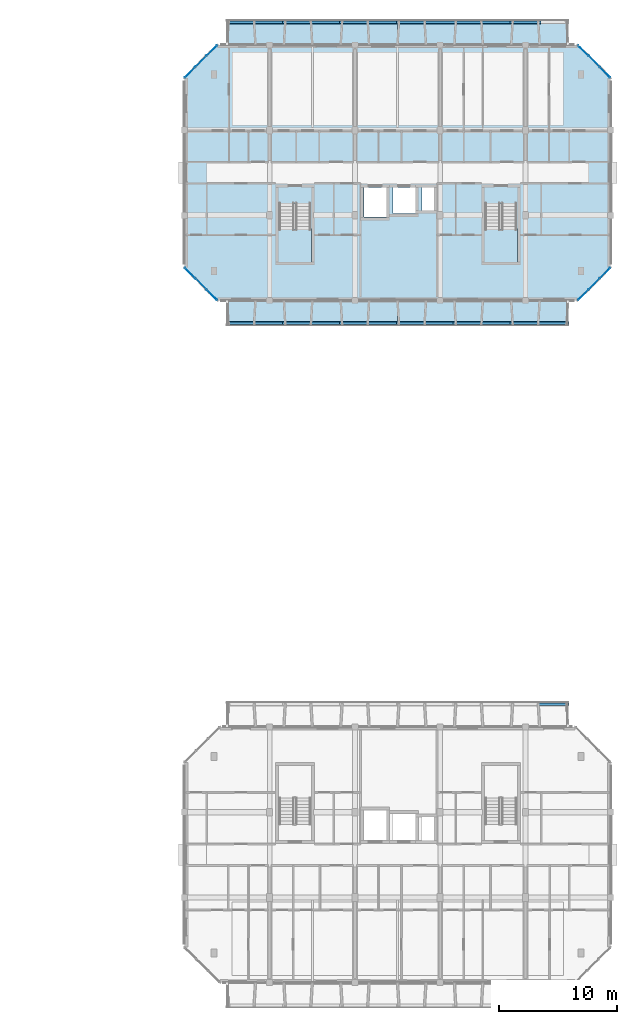
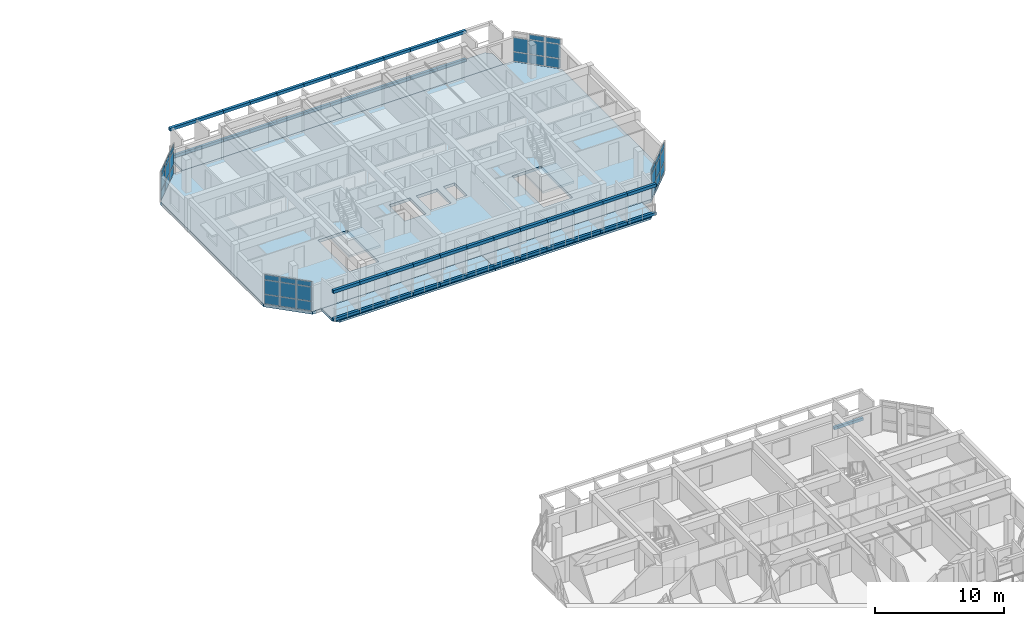
# One storey, part 14 of 45: 82 plates, 7 slabs, 6 elements without a shape of their own.
"""IFC4 building model written with IfcOpenShell, lengths in metres."""

from ifc_helpers import new_model, si_unit, direction, frame, origin, origin_2d, place, context, subcontext, project, spatial, polyline, rectangle, outline, extrude, material, layer, layer_set, type_object, element, aggregate, save


model = new_model("IFC4")

# Units and contexts
model_context = context("Model", 3, precision=1e-05, world=origin(), true_north=direction((0.0, 1.0)))
body_context = subcontext(model_context, "Body", "Model", "MODEL_VIEW")
ifc_project = project(units=[si_unit("LENGTHUNIT", "METRE"), si_unit("AREAUNIT", "SQUARE_METRE"), si_unit("VOLUMEUNIT", "CUBIC_METRE"), si_unit("PLANEANGLEUNIT", "RADIAN"), si_unit("MASSUNIT", "GRAM", prefix="KILO")], contexts=[model_context])

# Site, building, storey
site_placement = place(None, origin())
site = spatial("IfcSite", under=ifc_project, at=site_placement, CompositionType="ELEMENT")
building_placement = place(site_placement, origin())
building = spatial("IfcBuilding", under=site, at=building_placement, Name="Ochrevale Crest", CompositionType="ELEMENT")
storey_placement = place(building_placement, frame((0.0, 0.0, 18.14990234375)))
storey = spatial("IfcBuildingStorey", under=building, at=storey_placement, Name="L05", CompositionType="ELEMENT", Elevation=18.14990234375)

# Curtain wall, plates
ifc_material_1 = material(Name="Anodised aluminium 6063-T5", Category="aluminium")
ifc_layer_1 = layer(ifc_material_1, 0.14990234375)
ifc_layer_set_1 = layer_set([ifc_layer_1], Name="Anodised aluminium 6063-T5")
curtain_wall_type_1 = type_object("IfcCurtainWallType", Name="CW-WG-320x285", PredefinedType="NOTDEFINED", material=ifc_layer_set_1)
curtain_wall_1_placement = place(storey_placement, origin())
curtain_wall_1 = element("IfcCurtainWall", 1, at=curtain_wall_1_placement, inside=storey, type_object=curtain_wall_type_1, Name="Block D L05 chamfered corner wintergarden curtain wall 2", PredefinedType="NOTDEFINED")
ifc_material_2 = material(Name="Double-glazed low-E insulated glass unit", Category="glass")
ifc_layer_2 = layer(ifc_material_2, 0.028076171875)
ifc_layer_set_2 = layer_set([ifc_layer_2], Name="Double-glazed low-E insulated glass unit")
plate_type_1 = type_object("IfcPlateType", Name="CW-PNL-IGU28", PredefinedType="CURTAIN_PANEL", material=ifc_layer_set_2)
plate_1_placement = place(storey_placement, frame((163.280029296875, 72.47998046875, 0.06005859375), z_axis=(0.0, 0.0, 1.0), x_axis=(0.707106781187, 0.707106781187, 0.0)))
plate_1 = element("IfcPlate", 2, at=plate_1_placement, type_object=plate_type_1, Name="CW17 panel 1.1", PredefinedType="CURTAIN_PANEL", context=body_context, shape_type="SweptSolid", body=[
    extrude(rectangle(XDim=1.20751953125, YDim=0.028076171875, at=origin_2d()), origin(), (0.0, 0.0, 1.0), 0.860107421875),
])
plate_2_placement = place(storey_placement, frame((163.280029296875, 72.47998046875, 0.980224609375), z_axis=(0.0, 0.0, 1.0), x_axis=(0.707106781187, 0.707106781187, 0.0)))
plate_2 = element("IfcPlate", 3, at=plate_2_placement, type_object=plate_type_1, Name="CW17 panel 1.2", PredefinedType="CURTAIN_PANEL", context=body_context, shape_type="SweptSolid", body=[
    extrude(rectangle(XDim=1.20751953125, YDim=0.028076171875, at=origin_2d()), origin(), (0.0, 0.0, 1.0), 1.31494140625),
])
plate_3_placement = place(storey_placement, frame((163.280029296875, 72.47998046875, 2.355224609375), z_axis=(0.0, 0.0, 1.0), x_axis=(0.707106781187, 0.707106781187, 0.0)))
plate_3 = element("IfcPlate", 4, at=plate_3_placement, type_object=plate_type_1, Name="CW17 panel 1.3", PredefinedType="CURTAIN_PANEL", context=body_context, shape_type="SweptSolid", body=[
    extrude(rectangle(XDim=1.20751953125, YDim=0.028076171875, at=origin_2d()), origin(), (0.0, 0.0, 1.0), 0.4599609375),
])
plate_4_placement = place(storey_placement, frame((164.199951171875, 73.39990234375, 0.06005859375), z_axis=(0.0, 0.0, 1.0), x_axis=(0.707106781187, 0.707106781187, 0.0)))
plate_4 = element("IfcPlate", 5, at=plate_4_placement, type_object=plate_type_1, Name="CW17 panel 2.1", PredefinedType="CURTAIN_PANEL", context=body_context, shape_type="SweptSolid", body=[
    extrude(rectangle(XDim=1.244873046875, YDim=0.028076171875, at=origin_2d()), origin(), (0.0, 0.0, 1.0), 0.860107421875),
])
plate_5_placement = place(storey_placement, frame((164.199951171875, 73.39990234375, 0.980224609375), z_axis=(0.0, 0.0, 1.0), x_axis=(0.707106781187, 0.707106781187, 0.0)))
plate_5 = element("IfcPlate", 6, at=plate_5_placement, type_object=plate_type_1, Name="CW17 panel 2.2", PredefinedType="CURTAIN_PANEL", context=body_context, shape_type="SweptSolid", body=[
    extrude(rectangle(XDim=1.244873046875, YDim=0.028076171875, at=origin_2d()), origin(), (0.0, 0.0, 1.0), 1.31494140625),
])
plate_6_placement = place(storey_placement, frame((164.199951171875, 73.39990234375, 2.355224609375), z_axis=(0.0, 0.0, 1.0), x_axis=(0.707106781187, 0.707106781187, 0.0)))
plate_6 = element("IfcPlate", 7, at=plate_6_placement, type_object=plate_type_1, Name="CW17 panel 2.3", PredefinedType="CURTAIN_PANEL", context=body_context, shape_type="SweptSolid", body=[
    extrude(rectangle(XDim=1.244873046875, YDim=0.028076171875, at=origin_2d()), origin(), (0.0, 0.0, 1.0), 0.4599609375),
])
plate_7_placement = place(storey_placement, frame((165.1201171875, 74.320068359375, 0.06005859375), z_axis=(0.0, 0.0, 1.0), x_axis=(0.707106781187, 0.707106781187, 0.0)))
plate_7 = element("IfcPlate", 8, at=plate_7_placement, type_object=plate_type_1, Name="CW17 panel 3.1", PredefinedType="CURTAIN_PANEL", context=body_context, shape_type="SweptSolid", body=[
    extrude(rectangle(XDim=1.20751953125, YDim=0.028076171875, at=origin_2d()), origin(), (0.0, 0.0, 1.0), 0.860107421875),
])
plate_8_placement = place(storey_placement, frame((165.1201171875, 74.320068359375, 0.980224609375), z_axis=(0.0, 0.0, 1.0), x_axis=(0.707106781187, 0.707106781187, 0.0)))
plate_8 = element("IfcPlate", 9, at=plate_8_placement, type_object=plate_type_1, Name="CW17 panel 3.2", PredefinedType="CURTAIN_PANEL", context=body_context, shape_type="SweptSolid", body=[
    extrude(rectangle(XDim=1.20751953125, YDim=0.028076171875, at=origin_2d()), origin(), (0.0, 0.0, 1.0), 1.31494140625),
])
plate_9_placement = place(storey_placement, frame((165.1201171875, 74.320068359375, 2.355224609375), z_axis=(0.0, 0.0, 1.0), x_axis=(0.707106781187, 0.707106781187, 0.0)))
plate_9 = element("IfcPlate", 10, at=plate_9_placement, type_object=plate_type_1, Name="CW17 panel 3.3", PredefinedType="CURTAIN_PANEL", context=body_context, shape_type="SweptSolid", body=[
    extrude(rectangle(XDim=1.20751953125, YDim=0.028076171875, at=origin_2d()), origin(), (0.0, 0.0, 1.0), 0.4599609375),
])
aggregate(curtain_wall_1, [plate_1, plate_2, plate_3, plate_4, plate_5, plate_6, plate_7, plate_8, plate_9])

ifc_layer_3 = layer(ifc_material_1, 0.14990234375)
ifc_layer_set_3 = layer_set([ifc_layer_3], Name="Anodised aluminium 6063-T5")
curtain_wall_type_2 = type_object("IfcCurtainWallType", Name="CW-WG-420x285", PredefinedType="NOTDEFINED", material=ifc_layer_set_3)
curtain_wall_2_placement = place(storey_placement, origin())
curtain_wall_2 = element("IfcCurtainWall", 11, at=curtain_wall_2_placement, inside=storey, type_object=curtain_wall_type_2, Name="Block D L05 chamfered corner wintergarden curtain wall 4", PredefinedType="NOTDEFINED")
plate_10_placement = place(storey_placement, frame((165.1201171875, 91.280029296875, 0.06005859375), z_axis=(0.0, 0.0, 1.0), x_axis=(-0.707106781187, 0.707106781187, 0.0)))
plate_10 = element("IfcPlate", 12, at=plate_10_placement, type_object=plate_type_1, Name="CW22 panel 1.1", PredefinedType="CURTAIN_PANEL", context=body_context, shape_type="SweptSolid", body=[
    extrude(rectangle(XDim=1.20751953125, YDim=0.028076171875, at=origin_2d()), origin(), (0.0, 0.0, 1.0), 0.860107421875),
])
plate_11_placement = place(storey_placement, frame((165.1201171875, 91.280029296875, 0.980224609375), z_axis=(0.0, 0.0, 1.0), x_axis=(-0.707106781187, 0.707106781187, 0.0)))
plate_11 = element("IfcPlate", 13, at=plate_11_placement, type_object=plate_type_1, Name="CW22 panel 1.2", PredefinedType="CURTAIN_PANEL", context=body_context, shape_type="SweptSolid", body=[
    extrude(rectangle(XDim=1.20751953125, YDim=0.028076171875, at=origin_2d()), origin(), (0.0, 0.0, 1.0), 1.31494140625),
])
plate_12_placement = place(storey_placement, frame((165.1201171875, 91.280029296875, 2.355224609375), z_axis=(0.0, 0.0, 1.0), x_axis=(-0.707106781187, 0.707106781187, 0.0)))
plate_12 = element("IfcPlate", 14, at=plate_12_placement, type_object=plate_type_1, Name="CW22 panel 1.3", PredefinedType="CURTAIN_PANEL", context=body_context, shape_type="SweptSolid", body=[
    extrude(rectangle(XDim=1.20751953125, YDim=0.028076171875, at=origin_2d()), origin(), (0.0, 0.0, 1.0), 0.4599609375),
])
plate_13_placement = place(storey_placement, frame((164.199951171875, 92.199951171875, 0.06005859375), z_axis=(0.0, 0.0, 1.0), x_axis=(-0.707106781187, 0.707106781187, 0.0)))
plate_13 = element("IfcPlate", 15, at=plate_13_placement, type_object=plate_type_1, Name="CW22 panel 2.1", PredefinedType="CURTAIN_PANEL", context=body_context, shape_type="SweptSolid", body=[
    extrude(rectangle(XDim=1.244873046875, YDim=0.028076171875, at=origin_2d()), origin(), (0.0, 0.0, 1.0), 0.860107421875),
])
plate_14_placement = place(storey_placement, frame((164.199951171875, 92.199951171875, 0.980224609375), z_axis=(0.0, 0.0, 1.0), x_axis=(-0.707106781187, 0.707106781187, 0.0)))
plate_14 = element("IfcPlate", 16, at=plate_14_placement, type_object=plate_type_1, Name="CW22 panel 2.2", PredefinedType="CURTAIN_PANEL", context=body_context, shape_type="SweptSolid", body=[
    extrude(rectangle(XDim=1.244873046875, YDim=0.028076171875, at=origin_2d()), origin(), (0.0, 0.0, 1.0), 1.31494140625),
])
plate_15_placement = place(storey_placement, frame((164.199951171875, 92.199951171875, 2.355224609375), z_axis=(0.0, 0.0, 1.0), x_axis=(-0.707106781187, 0.707106781187, 0.0)))
plate_15 = element("IfcPlate", 17, at=plate_15_placement, type_object=plate_type_1, Name="CW22 panel 2.3", PredefinedType="CURTAIN_PANEL", context=body_context, shape_type="SweptSolid", body=[
    extrude(rectangle(XDim=1.244873046875, YDim=0.028076171875, at=origin_2d()), origin(), (0.0, 0.0, 1.0), 0.4599609375),
])
plate_16_placement = place(storey_placement, frame((163.280029296875, 93.1201171875, 0.06005859375), z_axis=(0.0, 0.0, 1.0), x_axis=(-0.707106781187, 0.707106781187, 0.0)))
plate_16 = element("IfcPlate", 18, at=plate_16_placement, type_object=plate_type_1, Name="CW22 panel 3.1", PredefinedType="CURTAIN_PANEL", context=body_context, shape_type="SweptSolid", body=[
    extrude(rectangle(XDim=1.20751953125, YDim=0.028076171875, at=origin_2d()), origin(), (0.0, 0.0, 1.0), 0.860107421875),
])
plate_17_placement = place(storey_placement, frame((163.280029296875, 93.1201171875, 0.980224609375), z_axis=(0.0, 0.0, 1.0), x_axis=(-0.707106781187, 0.707106781187, 0.0)))
plate_17 = element("IfcPlate", 19, at=plate_17_placement, type_object=plate_type_1, Name="CW22 panel 3.2", PredefinedType="CURTAIN_PANEL", context=body_context, shape_type="SweptSolid", body=[
    extrude(rectangle(XDim=1.20751953125, YDim=0.028076171875, at=origin_2d()), origin(), (0.0, 0.0, 1.0), 1.31494140625),
])
aggregate(curtain_wall_2, [plate_10, plate_11, plate_12, plate_13, plate_14, plate_15, plate_16, plate_17])

ifc_layer_4 = layer(ifc_material_1, 0.14990234375)
ifc_layer_set_4 = layer_set([ifc_layer_4], Name="Anodised aluminium 6063-T5")
curtain_wall_type_3 = type_object("IfcCurtainWallType", Name="CW-WG-280x285", PredefinedType="NOTDEFINED", material=ifc_layer_set_4)
curtain_wall_3_placement = place(storey_placement, origin())
curtain_wall_3 = element("IfcCurtainWall", 20, at=curtain_wall_3_placement, inside=storey, type_object=curtain_wall_type_3, Name="Block D L05 chamfered corner wintergarden curtain wall 6", PredefinedType="NOTDEFINED")
ifc_material_3 = material(Name="Acoustic laminated low-E insulated glass unit", Category="glass")
ifc_layer_5 = layer(ifc_material_3, 0.0380859375)
ifc_layer_set_5 = layer_set([ifc_layer_5], Name="Acoustic laminated low-E insulated glass unit")
plate_type_2 = type_object("IfcPlateType", Name="CW-PNL-IGU38", PredefinedType="CURTAIN_PANEL", material=ifc_layer_set_5)
plate_18_placement = place(storey_placement, frame((131.920166015625, 93.1201171875, 0.06005859375), z_axis=(0.0, 0.0, 1.0), x_axis=(-0.707106781187, -0.707106781187, 0.0)))
plate_18 = element("IfcPlate", 21, at=plate_18_placement, type_object=plate_type_2, Name="CW16 panel 1.1", PredefinedType="CURTAIN_PANEL", context=body_context, shape_type="SweptSolid", body=[
    extrude(rectangle(XDim=1.20751953125, YDim=0.0380859375, at=origin_2d()), origin(), (0.0, 0.0, 1.0), 0.860107421875),
])
plate_19_placement = place(storey_placement, frame((131.920166015625, 93.1201171875, 0.980224609375), z_axis=(0.0, 0.0, 1.0), x_axis=(-0.707106781187, -0.707106781187, 0.0)))
plate_19 = element("IfcPlate", 22, at=plate_19_placement, type_object=plate_type_2, Name="CW16 panel 1.2", PredefinedType="CURTAIN_PANEL", context=body_context, shape_type="SweptSolid", body=[
    extrude(rectangle(XDim=1.20751953125, YDim=0.0380859375, at=origin_2d()), origin(), (0.0, 0.0, 1.0), 1.31494140625),
])
plate_20_placement = place(storey_placement, frame((131.920166015625, 93.1201171875, 2.355224609375), z_axis=(0.0, 0.0, 1.0), x_axis=(-0.707106781187, -0.707106781187, 0.0)))
plate_20 = element("IfcPlate", 23, at=plate_20_placement, type_object=plate_type_2, Name="CW16 panel 1.3", PredefinedType="CURTAIN_PANEL", context=body_context, shape_type="SweptSolid", body=[
    extrude(rectangle(XDim=1.20751953125, YDim=0.0380859375, at=origin_2d()), origin(), (0.0, 0.0, 1.0), 0.4599609375),
])
plate_21_placement = place(storey_placement, frame((131.0, 92.199951171875, 0.06005859375), z_axis=(0.0, 0.0, 1.0), x_axis=(-0.707106781187, -0.707106781187, 0.0)))
plate_21 = element("IfcPlate", 24, at=plate_21_placement, type_object=plate_type_2, Name="CW16 panel 2.1", PredefinedType="CURTAIN_PANEL", context=body_context, shape_type="SweptSolid", body=[
    extrude(rectangle(XDim=1.244873046875, YDim=0.0380859375, at=origin_2d()), origin(), (0.0, 0.0, 1.0), 0.860107421875),
])
plate_22_placement = place(storey_placement, frame((131.0, 92.199951171875, 0.980224609375), z_axis=(0.0, 0.0, 1.0), x_axis=(-0.707106781187, -0.707106781187, 0.0)))
plate_22 = element("IfcPlate", 25, at=plate_22_placement, type_object=plate_type_2, Name="CW16 panel 2.2", PredefinedType="CURTAIN_PANEL", context=body_context, shape_type="SweptSolid", body=[
    extrude(rectangle(XDim=1.244873046875, YDim=0.0380859375, at=origin_2d()), origin(), (0.0, 0.0, 1.0), 1.31494140625),
])
plate_23_placement = place(storey_placement, frame((131.0, 92.199951171875, 2.355224609375), z_axis=(0.0, 0.0, 1.0), x_axis=(-0.707106781187, -0.707106781187, 0.0)))
plate_23 = element("IfcPlate", 26, at=plate_23_placement, type_object=plate_type_2, Name="CW16 panel 2.3", PredefinedType="CURTAIN_PANEL", context=body_context, shape_type="SweptSolid", body=[
    extrude(rectangle(XDim=1.244873046875, YDim=0.0380859375, at=origin_2d()), origin(), (0.0, 0.0, 1.0), 0.4599609375),
])
plate_24_placement = place(storey_placement, frame((130.079833984375, 91.280029296875, 0.06005859375), z_axis=(0.0, 0.0, 1.0), x_axis=(-0.707106781187, -0.707106781187, 0.0)))
plate_24 = element("IfcPlate", 27, at=plate_24_placement, type_object=plate_type_2, Name="CW16 panel 3.1", PredefinedType="CURTAIN_PANEL", context=body_context, shape_type="SweptSolid", body=[
    extrude(rectangle(XDim=1.20751953125, YDim=0.0380859375, at=origin_2d()), origin(), (0.0, 0.0, 1.0), 0.860107421875),
])
plate_25_placement = place(storey_placement, frame((130.079833984375, 91.280029296875, 0.980224609375), z_axis=(0.0, 0.0, 1.0), x_axis=(-0.707106781187, -0.707106781187, 0.0)))
plate_25 = element("IfcPlate", 28, at=plate_25_placement, type_object=plate_type_2, Name="CW16 panel 3.2", PredefinedType="CURTAIN_PANEL", context=body_context, shape_type="SweptSolid", body=[
    extrude(rectangle(XDim=1.20751953125, YDim=0.0380859375, at=origin_2d()), origin(), (0.0, 0.0, 1.0), 1.31494140625),
])
plate_26_placement = place(storey_placement, frame((130.079833984375, 91.280029296875, 2.355224609375), z_axis=(0.0, 0.0, 1.0), x_axis=(-0.707106781187, -0.707106781187, 0.0)))
plate_26 = element("IfcPlate", 29, at=plate_26_placement, type_object=plate_type_2, Name="CW16 panel 3.3", PredefinedType="CURTAIN_PANEL", context=body_context, shape_type="SweptSolid", body=[
    extrude(rectangle(XDim=1.20751953125, YDim=0.0380859375, at=origin_2d()), origin(), (0.0, 0.0, 1.0), 0.4599609375),
])
aggregate(curtain_wall_3, [plate_18, plate_19, plate_20, plate_21, plate_22, plate_23, plate_24, plate_25, plate_26])

ifc_layer_6 = layer(ifc_material_1, 0.14990234375)
ifc_layer_set_6 = layer_set([ifc_layer_6], Name="Anodised aluminium 6063-T5")
curtain_wall_type_4 = type_object("IfcCurtainWallType", Name="CW-WG-360x285", PredefinedType="NOTDEFINED", material=ifc_layer_set_6)
curtain_wall_4_placement = place(storey_placement, origin())
curtain_wall_4 = element("IfcCurtainWall", 30, at=curtain_wall_4_placement, inside=storey, type_object=curtain_wall_type_4, Name="Block D L05 chamfered corner wintergarden curtain wall 8", PredefinedType="NOTDEFINED")
plate_27_placement = place(storey_placement, frame((130.079833984375, 74.320068359375, 0.06005859375), z_axis=(0.0, 0.0, 1.0), x_axis=(0.707106781187, -0.707106781187, 0.0)))
plate_27 = element("IfcPlate", 31, at=plate_27_placement, type_object=plate_type_2, Name="CW18 panel 1.1", PredefinedType="CURTAIN_PANEL", context=body_context, shape_type="SweptSolid", body=[
    extrude(rectangle(XDim=1.20751953125, YDim=0.0380859375, at=origin_2d()), origin(), (0.0, 0.0, 1.0), 0.860107421875),
])
plate_28_placement = place(storey_placement, frame((130.079833984375, 74.320068359375, 0.980224609375), z_axis=(0.0, 0.0, 1.0), x_axis=(0.707106781187, -0.707106781187, 0.0)))
plate_28 = element("IfcPlate", 32, at=plate_28_placement, type_object=plate_type_2, Name="CW18 panel 1.2", PredefinedType="CURTAIN_PANEL", context=body_context, shape_type="SweptSolid", body=[
    extrude(rectangle(XDim=1.20751953125, YDim=0.0380859375, at=origin_2d()), origin(), (0.0, 0.0, 1.0), 1.31494140625),
])
plate_29_placement = place(storey_placement, frame((130.079833984375, 74.320068359375, 2.355224609375), z_axis=(0.0, 0.0, 1.0), x_axis=(0.707106781187, -0.707106781187, 0.0)))
plate_29 = element("IfcPlate", 33, at=plate_29_placement, type_object=plate_type_2, Name="CW18 panel 1.3", PredefinedType="CURTAIN_PANEL", context=body_context, shape_type="SweptSolid", body=[
    extrude(rectangle(XDim=1.20751953125, YDim=0.0380859375, at=origin_2d()), origin(), (0.0, 0.0, 1.0), 0.4599609375),
])
plate_30_placement = place(storey_placement, frame((131.0, 73.39990234375, 0.06005859375), z_axis=(0.0, 0.0, 1.0), x_axis=(0.707106781187, -0.707106781187, 0.0)))
plate_30 = element("IfcPlate", 34, at=plate_30_placement, type_object=plate_type_2, Name="CW18 panel 2.1", PredefinedType="CURTAIN_PANEL", context=body_context, shape_type="SweptSolid", body=[
    extrude(rectangle(XDim=1.244873046875, YDim=0.0380859375, at=origin_2d()), origin(), (0.0, 0.0, 1.0), 0.860107421875),
])
plate_31_placement = place(storey_placement, frame((131.0, 73.39990234375, 0.980224609375), z_axis=(0.0, 0.0, 1.0), x_axis=(0.707106781187, -0.707106781187, 0.0)))
plate_31 = element("IfcPlate", 35, at=plate_31_placement, type_object=plate_type_2, Name="CW18 panel 2.2", PredefinedType="CURTAIN_PANEL", context=body_context, shape_type="SweptSolid", body=[
    extrude(rectangle(XDim=1.244873046875, YDim=0.0380859375, at=origin_2d()), origin(), (0.0, 0.0, 1.0), 1.31494140625),
])
plate_32_placement = place(storey_placement, frame((131.0, 73.39990234375, 2.355224609375), z_axis=(0.0, 0.0, 1.0), x_axis=(0.707106781187, -0.707106781187, 0.0)))
plate_32 = element("IfcPlate", 36, at=plate_32_placement, type_object=plate_type_2, Name="CW18 panel 2.3", PredefinedType="CURTAIN_PANEL", context=body_context, shape_type="SweptSolid", body=[
    extrude(rectangle(XDim=1.244873046875, YDim=0.0380859375, at=origin_2d()), origin(), (0.0, 0.0, 1.0), 0.4599609375),
])
plate_33_placement = place(storey_placement, frame((131.920166015625, 72.47998046875, 0.06005859375), z_axis=(0.0, 0.0, 1.0), x_axis=(0.707106781187, -0.707106781187, 0.0)))
plate_33 = element("IfcPlate", 37, at=plate_33_placement, type_object=plate_type_2, Name="CW18 panel 3.1", PredefinedType="CURTAIN_PANEL", context=body_context, shape_type="SweptSolid", body=[
    extrude(rectangle(XDim=1.20751953125, YDim=0.0380859375, at=origin_2d()), origin(), (0.0, 0.0, 1.0), 0.860107421875),
])
plate_34_placement = place(storey_placement, frame((131.920166015625, 72.47998046875, 0.980224609375), z_axis=(0.0, 0.0, 1.0), x_axis=(0.707106781187, -0.707106781187, 0.0)))
plate_34 = element("IfcPlate", 38, at=plate_34_placement, type_object=plate_type_2, Name="CW18 panel 3.2", PredefinedType="CURTAIN_PANEL", context=body_context, shape_type="SweptSolid", body=[
    extrude(rectangle(XDim=1.20751953125, YDim=0.0380859375, at=origin_2d()), origin(), (0.0, 0.0, 1.0), 1.31494140625),
])
plate_35_placement = place(storey_placement, frame((131.920166015625, 72.47998046875, 2.355224609375), z_axis=(0.0, 0.0, 1.0), x_axis=(0.707106781187, -0.707106781187, 0.0)))
plate_35 = element("IfcPlate", 39, at=plate_35_placement, type_object=plate_type_2, Name="CW18 panel 3.3", PredefinedType="CURTAIN_PANEL", context=body_context, shape_type="SweptSolid", body=[
    extrude(rectangle(XDim=1.20751953125, YDim=0.0380859375, at=origin_2d()), origin(), (0.0, 0.0, 1.0), 0.4599609375),
])
aggregate(curtain_wall_4, [plate_27, plate_28, plate_29, plate_30, plate_31, plate_32, plate_33, plate_34, plate_35])

# Plates
ifc_material_4 = material(Name="Precast concrete C40/50", Category="concrete")
ifc_layer_7 = layer(ifc_material_4, 0.06005859375)
ifc_layer_set_7 = layer_set([ifc_layer_7], Name="Precast concrete C40/50")
plate_type_3 = type_object("IfcPlateType", Name="PLT-HC-HEAD-60", PredefinedType="USERDEFINED", material=ifc_layer_set_7)
for number, where, z_axis, x_axis, name in (
    (40, (134.39990234375, 70.10009765625, 2.669921875), (0.0, 0.0, 1.0), (1.0, 0.0, 0.0), "Block D L05 S honeycomb arched lintel fascia 1"),
    (41, (136.800048828125, 70.10009765625, 2.669921875), (0.0, 0.0, 1.0), (1.0, 0.0, 0.0), "Block D L05 S honeycomb arched lintel fascia 2"),
    (42, (139.199951171875, 70.10009765625, 2.669921875), (0.0, 0.0, 1.0), (1.0, 0.0, 0.0), "Block D L05 S honeycomb arched lintel fascia 3"),
    (43, (141.60009765625, 70.10009765625, 2.669921875), (0.0, 0.0, 1.0), (1.0, 0.0, 0.0), "Block D L05 S honeycomb arched lintel fascia 4"),
    (44, (144.0, 70.10009765625, 2.669921875), (0.0, 0.0, 1.0), (1.0, 0.0, 0.0), "Block D L05 S honeycomb arched lintel fascia 5"),
    (45, (146.39990234375, 70.10009765625, 2.669921875), (0.0, 0.0, 1.0), (1.0, 0.0, 0.0), "Block D L05 S honeycomb arched lintel fascia 6"),
    (46, (148.800048828125, 70.10009765625, 2.669921875), (0.0, 0.0, 1.0), (1.0, 0.0, 0.0), "Block D L05 S honeycomb arched lintel fascia 7"),
    (47, (151.199951171875, 70.10009765625, 2.669921875), (0.0, 0.0, 1.0), (1.0, 0.0, 0.0), "Block D L05 S honeycomb arched lintel fascia 8"),
    (48, (153.60009765625, 70.10009765625, 2.669921875), (0.0, 0.0, 1.0), (1.0, 0.0, 0.0), "Block D L05 S honeycomb arched lintel fascia 9"),
    (49, (156.0, 70.10009765625, 2.669921875), (0.0, 0.0, 1.0), (1.0, 0.0, 0.0), "Block D L05 S honeycomb arched lintel fascia 10"),
    (50, (158.39990234375, 70.10009765625, 2.669921875), (0.0, 0.0, 1.0), (1.0, 0.0, 0.0), "Block D L05 S honeycomb arched lintel fascia 11"),
    (51, (160.800048828125, 70.10009765625, 2.669921875), (0.0, 0.0, 1.0), (1.0, 0.0, 0.0), "Block D L05 S honeycomb arched lintel fascia 12"),
    (52, (134.39990234375, 95.5, 2.669921875), (0.0, 0.0, 1.0), (1.0, 0.0, 0.0), "Block D L05 N honeycomb arched lintel fascia 1"),
    (53, (136.800048828125, 95.5, 2.669921875), (0.0, 0.0, 1.0), (1.0, 0.0, 0.0), "Block D L05 N honeycomb arched lintel fascia 2"),
    (54, (139.199951171875, 95.5, 2.669921875), (0.0, 0.0, 1.0), (1.0, 0.0, 0.0), "Block D L05 N honeycomb arched lintel fascia 3"),
    (55, (141.60009765625, 95.5, 2.669921875), (0.0, 0.0, 1.0), (1.0, 0.0, 0.0), "Block D L05 N honeycomb arched lintel fascia 4"),
    (56, (144.0, 95.5, 2.669921875), (0.0, 0.0, 1.0), (1.0, 0.0, 0.0), "Block D L05 N honeycomb arched lintel fascia 5"),
    (57, (146.39990234375, 95.5, 2.669921875), (0.0, 0.0, 1.0), (1.0, 0.0, 0.0), "Block D L05 N honeycomb arched lintel fascia 6"),
    (58, (148.800048828125, 95.5, 2.669921875), (0.0, 0.0, 1.0), (1.0, 0.0, 0.0), "Block D L05 N honeycomb arched lintel fascia 7"),
    (59, (151.199951171875, 95.5, 2.669921875), (0.0, 0.0, 1.0), (1.0, 0.0, 0.0), "Block D L05 N honeycomb arched lintel fascia 8"),
    (60, (153.60009765625, 95.5, 2.669921875), (0.0, 0.0, 1.0), (1.0, 0.0, 0.0), "Block D L05 N honeycomb arched lintel fascia 9"),
    (61, (156.0, 95.5, 2.669921875), (0.0, 0.0, 1.0), (1.0, 0.0, 0.0), "Block D L05 N honeycomb arched lintel fascia 10"),
    (62, (158.39990234375, 95.5, 2.669921875), (0.0, 0.0, 1.0), (1.0, 0.0, 0.0), "Block D L05 N honeycomb arched lintel fascia 11"),
):
    element("IfcPlate", number, at=place(storey_placement, frame(where, z_axis=z_axis, x_axis=x_axis)), inside=storey, type_object=plate_type_3, Name=name, ObjectType="FACADE FASCIA PLATE", PredefinedType="USERDEFINED", context=body_context, shape_type="SweptSolid", body=[
        extrude(rectangle(XDim=2.60009765625, YDim=0.239990234375, at=origin_2d()), origin(), (0.0, 0.0, 1.0), 0.280029296875),
    ])
ifc_layer_8 = layer(ifc_material_4, 0.044921875)
ifc_layer_set_8 = layer_set([ifc_layer_8], Name="Precast concrete C40/50")
plate_type_4 = type_object("IfcPlateType", Name="PLT-HC-SILL-45", PredefinedType="USERDEFINED", material=ifc_layer_set_8)
for number, where, z_axis, x_axis, name in (
    (63, (160.800048828125, 37.89990234375, 0.0), (0.0, 0.0, 1.0), (1.0, 0.0, 0.0), "Block C L05 N honeycomb sill coping plate 12"),
    (64, (134.39990234375, 70.10009765625, 0.0), (0.0, 0.0, 1.0), (1.0, 0.0, 0.0), "Block D L05 S honeycomb sill coping plate 1"),
    (65, (136.800048828125, 70.10009765625, 0.0), (0.0, 0.0, 1.0), (1.0, 0.0, 0.0), "Block D L05 S honeycomb sill coping plate 2"),
    (66, (139.199951171875, 70.10009765625, 0.0), (0.0, 0.0, 1.0), (1.0, 0.0, 0.0), "Block D L05 S honeycomb sill coping plate 3"),
    (67, (141.60009765625, 70.10009765625, 0.0), (0.0, 0.0, 1.0), (1.0, 0.0, 0.0), "Block D L05 S honeycomb sill coping plate 4"),
    (68, (144.0, 70.10009765625, 0.0), (0.0, 0.0, 1.0), (1.0, 0.0, 0.0), "Block D L05 S honeycomb sill coping plate 5"),
    (69, (146.39990234375, 70.10009765625, 0.0), (0.0, 0.0, 1.0), (1.0, 0.0, 0.0), "Block D L05 S honeycomb sill coping plate 6"),
    (70, (148.800048828125, 70.10009765625, 0.0), (0.0, 0.0, 1.0), (1.0, 0.0, 0.0), "Block D L05 S honeycomb sill coping plate 7"),
    (71, (151.199951171875, 70.10009765625, 0.0), (0.0, 0.0, 1.0), (1.0, 0.0, 0.0), "Block D L05 S honeycomb sill coping plate 8"),
    (72, (153.60009765625, 70.10009765625, 0.0), (0.0, 0.0, 1.0), (1.0, 0.0, 0.0), "Block D L05 S honeycomb sill coping plate 9"),
    (73, (156.0, 70.10009765625, 0.0), (0.0, 0.0, 1.0), (1.0, 0.0, 0.0), "Block D L05 S honeycomb sill coping plate 10"),
    (74, (158.39990234375, 70.10009765625, 0.0), (0.0, 0.0, 1.0), (1.0, 0.0, 0.0), "Block D L05 S honeycomb sill coping plate 11"),
    (75, (160.800048828125, 70.10009765625, 0.0), (0.0, 0.0, 1.0), (1.0, 0.0, 0.0), "Block D L05 S honeycomb sill coping plate 12"),
    (76, (134.39990234375, 95.5, 0.0), (0.0, 0.0, 1.0), (1.0, 0.0, 0.0), "Block D L05 N honeycomb sill coping plate 1"),
    (77, (136.800048828125, 95.5, 0.0), (0.0, 0.0, 1.0), (1.0, 0.0, 0.0), "Block D L05 N honeycomb sill coping plate 2"),
    (78, (139.199951171875, 95.5, 0.0), (0.0, 0.0, 1.0), (1.0, 0.0, 0.0), "Block D L05 N honeycomb sill coping plate 3"),
    (79, (141.60009765625, 95.5, 0.0), (0.0, 0.0, 1.0), (1.0, 0.0, 0.0), "Block D L05 N honeycomb sill coping plate 4"),
    (80, (144.0, 95.5, 0.0), (0.0, 0.0, 1.0), (1.0, 0.0, 0.0), "Block D L05 N honeycomb sill coping plate 5"),
    (81, (146.39990234375, 95.5, 0.0), (0.0, 0.0, 1.0), (1.0, 0.0, 0.0), "Block D L05 N honeycomb sill coping plate 6"),
    (82, (148.800048828125, 95.5, 0.0), (0.0, 0.0, 1.0), (1.0, 0.0, 0.0), "Block D L05 N honeycomb sill coping plate 7"),
    (83, (151.199951171875, 95.5, 0.0), (0.0, 0.0, 1.0), (1.0, 0.0, 0.0), "Block D L05 N honeycomb sill coping plate 8"),
    (84, (153.60009765625, 95.5, 0.0), (0.0, 0.0, 1.0), (1.0, 0.0, 0.0), "Block D L05 N honeycomb sill coping plate 9"),
    (85, (156.0, 95.5, 0.0), (0.0, 0.0, 1.0), (1.0, 0.0, 0.0), "Block D L05 N honeycomb sill coping plate 10"),
    (86, (158.39990234375, 95.5, 0.0), (0.0, 0.0, 1.0), (1.0, 0.0, 0.0), "Block D L05 N honeycomb sill coping plate 11"),
):
    element("IfcPlate", number, at=place(storey_placement, frame(where, z_axis=z_axis, x_axis=x_axis)), inside=storey, type_object=plate_type_4, Name=name, ObjectType="SILL COPING PLATE", PredefinedType="USERDEFINED", context=body_context, shape_type="SweptSolid", body=[
        extrude(rectangle(XDim=2.60009765625, YDim=0.219970703125, at=origin_2d()), origin(), (0.0, 0.0, 1.0), 0.260009765625),
    ])

# Slabs
ifc_layer_9 = layer(ifc_material_4, 0.199951171875)
ifc_layer_set_9 = layer_set([ifc_layer_9], Name="Precast concrete C40/50")
slab_type_1 = type_object("IfcSlabType", Name="SLB-BAL-200", PredefinedType="FLOOR", material=ifc_layer_set_9)
slab_1_placement = place(storey_placement, frame((0.0, 0.0, -0.199951171875)))
element("IfcSlab", 87, at=slab_1_placement, inside=storey, type_object=slab_type_1, Name="Block D L05 S1 precast loggia balcony slab", PredefinedType="FLOOR", context=body_context, shape_type="SweptSolid", body=[
    extrude(outline(polyline([(133.64990234375, 69.89990234375), (147.60009765625, 69.89990234375), (147.60009765625, 72.0), (133.199951171875, 72.0), (133.199951171875, 70.35009765625), (133.64990234375, 69.89990234375)])), origin(), (0.0, 0.0, 1.0), 0.199951171875),
])
slab_2_placement = place(storey_placement, frame((0.0, 0.0, -0.199951171875)))
element("IfcSlab", 88, at=slab_2_placement, inside=storey, type_object=slab_type_1, Name="Block D L05 S2 precast loggia balcony slab", PredefinedType="FLOOR", context=body_context, shape_type="SweptSolid", body=[
    extrude(outline(polyline([(147.60009765625, 69.89990234375), (161.550048828125, 69.89990234375), (162.0, 70.35009765625), (162.0, 72.0), (147.60009765625, 72.0), (147.60009765625, 69.89990234375)])), origin(), (0.0, 0.0, 1.0), 0.199951171875),
])
slab_3_placement = place(storey_placement, frame((0.0, 0.0, -0.199951171875)))
element("IfcSlab", 89, at=slab_3_placement, inside=storey, type_object=slab_type_1, Name="Block D L05 N1 precast loggia balcony slab", PredefinedType="FLOOR", context=body_context, shape_type="SweptSolid", body=[
    extrude(outline(polyline([(133.199951171875, 93.60009765625), (147.60009765625, 93.60009765625), (147.60009765625, 95.699951171875), (133.64990234375, 95.699951171875), (133.199951171875, 95.25), (133.199951171875, 93.60009765625)])), origin(), (0.0, 0.0, 1.0), 0.199951171875),
])
slab_4_placement = place(storey_placement, frame((0.0, 0.0, -0.199951171875)))
element("IfcSlab", 90, at=slab_4_placement, inside=storey, type_object=slab_type_1, Name="Block D L05 N2 precast loggia balcony slab", PredefinedType="FLOOR", context=body_context, shape_type="SweptSolid", body=[
    extrude(outline(polyline([(147.60009765625, 93.60009765625), (162.0, 93.60009765625), (162.0, 95.25), (161.550048828125, 95.699951171875), (147.60009765625, 95.699951171875), (147.60009765625, 93.60009765625)])), origin(), (0.0, 0.0, 1.0), 0.199951171875),
])
ifc_layer_10 = layer(ifc_material_4, 0.27490234375)
ifc_layer_set_10 = layer_set([ifc_layer_10], Name="Precast concrete C40/50")
slab_type_2 = type_object("IfcSlabType", Name="SLB-RES-275", PredefinedType="FLOOR", material=ifc_layer_set_10)
slab_5_placement = place(storey_placement, frame((0.0, 0.0, -0.27490234375)))
element("IfcSlab", 91, at=slab_5_placement, inside=storey, type_object=slab_type_2, Name="Block D L05 composite hollowcore floor slab", PredefinedType="FLOOR", context=body_context, shape_type="SweptSolid", body=[
    extrude(outline(polyline([(132.39990234375, 72.0), (162.800048828125, 72.0), (165.60009765625, 74.800048828125), (165.60009765625, 90.800048828125), (162.800048828125, 93.60009765625), (132.39990234375, 93.60009765625), (129.60009765625, 90.800048828125), (129.60009765625, 74.800048828125), (132.39990234375, 72.0)]), holes=[polyline([(137.60009765625, 80.175048828125), (137.60009765625, 75.27490234375), (140.25, 75.27490234375), (140.25, 80.175048828125), (137.60009765625, 80.175048828125)]), polyline([(155.0, 80.175048828125), (155.0, 75.27490234375), (157.64990234375, 75.27490234375), (157.64990234375, 80.175048828125), (155.0, 80.175048828125)]), polyline([(144.75, 79.050048828125), (146.64990234375, 79.050048828125), (146.64990234375, 81.550048828125), (144.75, 81.550048828125), (144.75, 79.050048828125)]), polyline([(147.199951171875, 79.35009765625), (149.10009765625, 79.35009765625), (149.10009765625, 81.550048828125), (147.199951171875, 81.550048828125), (147.199951171875, 79.35009765625)]), polyline([(149.669921875, 79.6201171875), (150.679931640625, 79.6201171875), (150.679931640625, 81.580078125), (149.669921875, 81.580078125), (149.669921875, 79.6201171875)])]), origin(), (0.0, 0.0, 1.0), 0.27490234375),
])

# Stair, slab
stair_type = type_object("IfcStairType", Name="ST-CORE-DOG", PredefinedType="HALF_TURN_STAIR", material=ifc_material_4)
stair_1_placement = place(storey_placement, origin())
stair_1 = element("IfcStair", 92, at=stair_1_placement, inside=storey, type_object=stair_type, Name="L05 Block D Fire Stair 1", PredefinedType="HALF_TURN_STAIR")
ifc_layer_11 = layer(ifc_material_4, 0.199951171875)
ifc_layer_set_11 = layer_set([ifc_layer_11], Name="Precast concrete C40/50")
slab_type_3 = type_object("IfcSlabType", Name="SLB-ST-LAND", PredefinedType="LANDING", material=ifc_layer_set_11)
slab_6_placement = place(storey_placement, frame((0.0, 0.0, 1.375)))
slab_6 = element("IfcSlab", 93, at=slab_6_placement, type_object=slab_type_3, Name="ST-D1 landing 1", PredefinedType="LANDING", context=body_context, shape_type="SweptSolid", body=[
    extrude(outline(polyline([(137.52001953125, 78.06494140625), (137.52001953125, 75.195068359375), (140.330078125, 75.195068359375), (140.330078125, 78.06494140625), (137.52001953125, 78.06494140625)])), origin(), (0.0, 0.0, 1.0), 0.2001953125),
])
aggregate(stair_1, [slab_6])

stair_2_placement = place(storey_placement, origin())
stair_2 = element("IfcStair", 94, at=stair_2_placement, inside=storey, type_object=stair_type, Name="L05 Block D Fire Stair 2", PredefinedType="HALF_TURN_STAIR")
slab_7_placement = place(storey_placement, frame((0.0, 0.0, 1.375)))
slab_7 = element("IfcSlab", 95, at=slab_7_placement, type_object=slab_type_3, Name="ST-D2 landing 1", PredefinedType="LANDING", context=body_context, shape_type="SweptSolid", body=[
    extrude(outline(polyline([(154.919921875, 78.06494140625), (154.919921875, 75.195068359375), (157.72998046875, 75.195068359375), (157.72998046875, 78.06494140625), (154.919921875, 78.06494140625)])), origin(), (0.0, 0.0, 1.0), 0.2001953125),
])
aggregate(stair_2, [slab_7])

save(model, "model.ifc")
